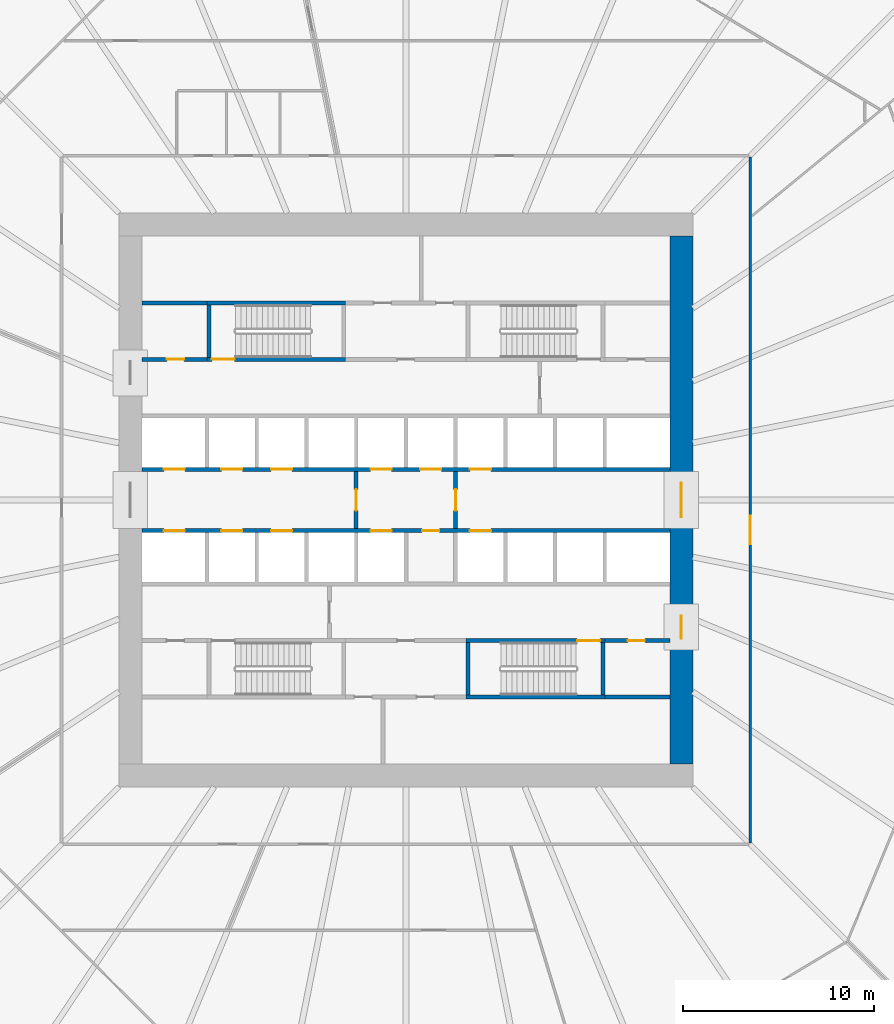
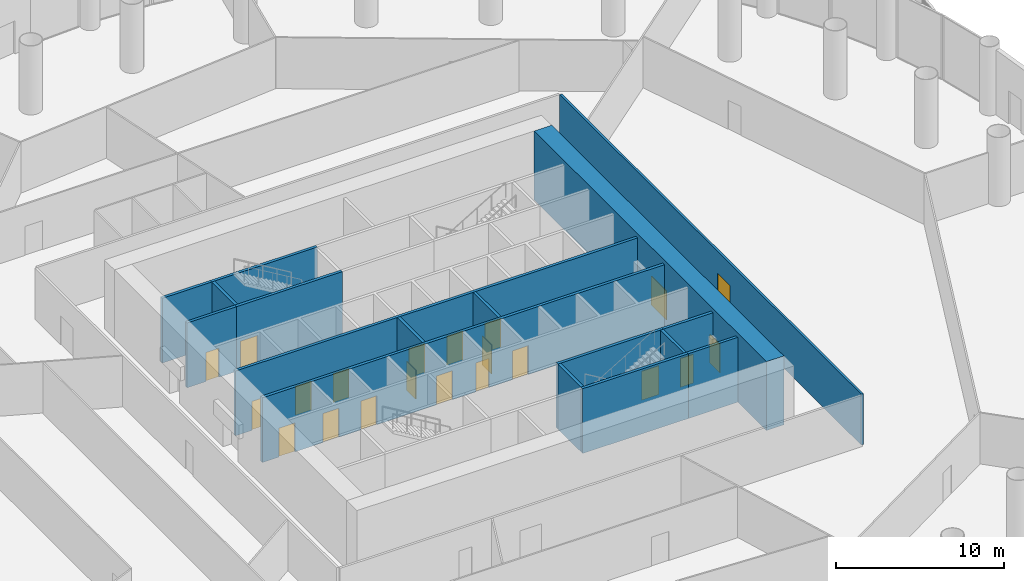
# One storey, part 24 of 35: 21 doors, 17 walls, 21 openings.
"""IFC4 building model written with IfcOpenShell, lengths in metres."""

from ifc_helpers import new_model, si_unit, direction, frame, frame_2d, origin, place, context, subcontext, project, spatial, polyline, rectangle, outline, extrude, material, layer, layer_set, type_object, element, fill, save


model = new_model("IFC4")

# Units and contexts
model_context = context("Model", 3, precision=1e-05, world=origin(), true_north=direction((0.0, 1.0)))
body_context = subcontext(model_context, "Body", "Model", "MODEL_VIEW")
ifc_project = project(units=[si_unit("LENGTHUNIT", "METRE"), si_unit("AREAUNIT", "SQUARE_METRE"), si_unit("VOLUMEUNIT", "CUBIC_METRE"), si_unit("PLANEANGLEUNIT", "RADIAN"), si_unit("MASSUNIT", "GRAM", prefix="KILO")], contexts=[model_context])

# Site, building, storey
site_placement = place(None, origin())
site = spatial("IfcSite", under=ifc_project, at=site_placement, CompositionType="ELEMENT")
building_placement = place(site_placement, origin())
building = spatial("IfcBuilding", under=site, at=building_placement, Name="Corvane Civic Tower", CompositionType="ELEMENT")
storey_placement = place(building_placement, frame((0.0, 0.0, 27.0)))
storey = spatial("IfcBuildingStorey", under=building, at=storey_placement, Name="L05", CompositionType="ELEMENT", Elevation=27.0)

# Wall, openings, doors
ifc_material_1 = material(Name="Concrete C80/95", Category="concrete")
ifc_layer_1 = layer(ifc_material_1, 1.199951171875)
ifc_layer_set_1 = layer_set([ifc_layer_1], Name="Concrete C80/95")
wall_type_1 = type_object("IfcWallType", Name="CORE WALL 1200 C80/95", PredefinedType="SHEAR", material=ifc_layer_set_1)
wall_1_placement = place(storey_placement, frame((14.39990234375, -13.800048828125, 0.0), z_axis=(0.0, 0.0, 1.0), x_axis=(0.0, 1.0, 0.0)))
wall_1 = element("IfcWall", 1, at=wall_1_placement, inside=storey, type_object=wall_type_1, Name="W-L05-core-E", PredefinedType="SHEAR", context=body_context, shape_type="SweptSolid", body=[
    extrude(rectangle(XDim=27.60009765625, YDim=1.199951171875, at=frame_2d((13.800048828125, 0.0))), origin(), (0.0, 0.0, 1.0), 5.0),
])
opening_1_placement = place(wall_1_placement, frame((12.89990234375, 0.0, 0.0)))
opening_1 = element("IfcOpeningElement", 2, at=opening_1_placement, cuts=wall_1, Name="Opening L05.C21", PredefinedType="OPENING", context=body_context, shape_type="SweptSolid", body=[
    extrude(rectangle(XDim=1.800048828125, YDim=2.10009765625, at=frame_2d((0.89990234375, 1.050048828125))), frame((0.0, 0.60986328125, 0.0), z_axis=(0.0, -1.0, 0.0), x_axis=(1.0, 0.0, 0.0)), (0.0, 0.0, 1.0), 1.219970703125),
])
opening_2_placement = place(wall_1_placement, frame((6.550048828125, 0.0, 0.0)))
opening_2 = element("IfcOpeningElement", 3, at=opening_2_placement, cuts=wall_1, Name="Opening L05.C23", PredefinedType="OPENING", context=body_context, shape_type="SweptSolid", body=[
    extrude(rectangle(XDim=1.199951171875, YDim=2.10009765625, at=frame_2d((0.60009765625, 1.050048828125))), frame((0.0, 0.60986328125, 0.0), z_axis=(0.0, -1.0, 0.0), x_axis=(1.0, 0.0, 0.0)), (0.0, 0.0, 1.0), 1.219970703125),
])
ifc_material_2 = material(Name="Steel fire door leaf", Category="steel")
door_type_1 = type_object("IfcDoorType", Name="CR-DOOR-CORE-1800", OperationType="DOUBLE_DOOR_SINGLE_SWING", PredefinedType="DOOR", material=ifc_material_2)
door_1_placement = place(opening_1_placement, origin())
door_1 = element("IfcDoor", 4, at=door_1_placement, inside=storey, type_object=door_type_1, Name="L05 door", OperationType="DOUBLE_DOOR_SINGLE_SWING", OverallHeight=2.10009765625, OverallWidth=1.800048828125, PredefinedType="DOOR", context=body_context, shape_type="SweptSolid", body=[
    extrude(rectangle(XDim=1.800048828125, YDim=2.10009765625, at=frame_2d((0.89990234375, 1.050048828125))), frame((0.0, 0.02490234375, 0.0), z_axis=(0.0, -1.0, 0.0), x_axis=(1.0, 0.0, 0.0)), (0.0, 0.0, 1.0), 0.050048828125),
])
fill(opening_1, door_1)
door_2_placement = place(opening_2_placement, origin())
door_2 = element("IfcDoor", 5, at=door_2_placement, inside=storey, type_object=door_type_1, Name="L05 door", OperationType="DOUBLE_DOOR_SINGLE_SWING", OverallHeight=2.10009765625, OverallWidth=1.199951171875, PredefinedType="DOOR", context=body_context, shape_type="SweptSolid", body=[
    extrude(rectangle(XDim=1.199951171875, YDim=2.10009765625, at=frame_2d((0.60009765625, 1.050048828125))), frame((0.0, 0.02490234375, 0.0), z_axis=(0.0, -1.0, 0.0), x_axis=(1.0, 0.0, 0.0)), (0.0, 0.0, 1.0), 0.050048828125),
])
fill(opening_2, door_2)

# Wall, opening, door
ifc_material_3 = material(Name="Concrete C30/37", Category="concrete")
ifc_layer_2 = layer(ifc_material_3, 0.199951171875)
ifc_layer_set_2 = layer_set([ifc_layer_2], Name="Concrete C30/37")
wall_type_2 = type_object("IfcWallType", Name="CR-WALL-200", PredefinedType="PARTITIONING", material=ifc_layer_set_2)
wall_2_placement = place(storey_placement, frame((10.39990234375, -7.35009765625, 0.0), z_axis=(0.0, 0.0, 1.0), x_axis=(1.0, 0.0, 0.0)))
wall_2 = element("IfcWall", 6, at=wall_2_placement, inside=storey, type_object=wall_type_2, Name="L05 core partition wall", PredefinedType="PARTITIONING", context=body_context, shape_type="SweptSolid", body=[
    extrude(rectangle(XDim=3.400146484375, YDim=0.199951171875, at=frame_2d((1.7001953125, 0.0))), origin(), (0.0, 0.0, 1.0), 4.699951171875),
])
opening_3_placement = place(wall_2_placement, frame((1.199951171875, 0.0, 0.0)))
opening_3 = element("IfcOpeningElement", 7, at=opening_3_placement, cuts=wall_2, Name="Opening L05.C11", PredefinedType="OPENING", context=body_context, shape_type="SweptSolid", body=[
    extrude(rectangle(XDim=0.89990234375, YDim=2.10009765625, at=frame_2d((0.449951171875, 1.050048828125))), frame((0.0, 0.10986328125, 0.0), z_axis=(0.0, -1.0, 0.0), x_axis=(1.0, 0.0, 0.0)), (0.0, 0.0, 1.0), 0.219970703125),
])
ifc_material_4 = material(Name="Steel fire door leaf", Category="steel")
door_type_2 = type_object("IfcDoorType", Name="CR-DOOR-900", OperationType="SINGLE_SWING_LEFT", PredefinedType="DOOR", material=ifc_material_4)
door_3_placement = place(opening_3_placement, origin())
door_3 = element("IfcDoor", 8, at=door_3_placement, inside=storey, type_object=door_type_2, Name="L05 door", OperationType="SINGLE_SWING_LEFT", OverallHeight=2.10009765625, OverallWidth=0.89990234375, PredefinedType="DOOR", context=body_context, shape_type="SweptSolid", body=[
    extrude(rectangle(XDim=0.89990234375, YDim=2.10009765625, at=frame_2d((0.449951171875, 1.050048828125))), frame((0.0, 0.02490234375, 0.0), z_axis=(0.0, -1.0, 0.0), x_axis=(1.0, 0.0, 0.0)), (0.0, 0.0, 1.0), 0.050048828125),
])
fill(opening_3, door_3)

# Wall, openings, doors
wall_3_placement = place(storey_placement, frame((-13.800048828125, -1.60009765625, 0.0), z_axis=(0.0, 0.0, 1.0), x_axis=(1.0, 0.0, 0.0)))
wall_3 = element("IfcWall", 9, at=wall_3_placement, inside=storey, type_object=wall_type_2, Name="L05 lift shaft wall", PredefinedType="PARTITIONING", context=body_context, shape_type="SweptSolid", body=[
    extrude(rectangle(XDim=27.60009765625, YDim=0.199951171875, at=frame_2d((13.800048828125, 0.0))), origin(), (0.0, 0.0, 1.0), 4.699951171875),
])
opening_4_placement = place(wall_3_placement, frame((1.14990234375, 0.0, 0.0)))
opening_4 = element("IfcOpeningElement", 10, at=opening_4_placement, cuts=wall_3, Name="Opening LD", PredefinedType="OPENING", context=body_context, shape_type="SweptSolid", body=[
    extrude(rectangle(XDim=1.10009765625, YDim=2.10009765625, at=frame_2d((0.550048828125, 1.050048828125))), frame((0.0, 0.10986328125, 0.0), z_axis=(0.0, -1.0, 0.0), x_axis=(1.0, 0.0, 0.0)), (0.0, 0.0, 1.0), 0.219970703125),
])
opening_5_placement = place(wall_3_placement, frame((4.14990234375, 0.0, 0.0)))
opening_5 = element("IfcOpeningElement", 11, at=opening_5_placement, cuts=wall_3, Name="Opening LD", PredefinedType="OPENING", context=body_context, shape_type="SweptSolid", body=[
    extrude(rectangle(XDim=1.10009765625, YDim=2.10009765625, at=frame_2d((0.550048828125, 1.050048828125))), frame((0.0, 0.10986328125, 0.0), z_axis=(0.0, -1.0, 0.0), x_axis=(1.0, 0.0, 0.0)), (0.0, 0.0, 1.0), 0.219970703125),
])
opening_6_placement = place(wall_3_placement, frame((6.75, 0.0, 0.0)))
opening_6 = element("IfcOpeningElement", 12, at=opening_6_placement, cuts=wall_3, Name="Opening LD", PredefinedType="OPENING", context=body_context, shape_type="SweptSolid", body=[
    extrude(rectangle(XDim=1.10009765625, YDim=2.10009765625, at=frame_2d((0.550048828125, 1.050048828125))), frame((0.0, 0.10986328125, 0.0), z_axis=(0.0, -1.0, 0.0), x_axis=(1.0, 0.0, 0.0)), (0.0, 0.0, 1.0), 0.219970703125),
])
opening_7_placement = place(wall_3_placement, frame((11.949951171875, 0.0, 0.0)))
opening_7 = element("IfcOpeningElement", 13, at=opening_7_placement, cuts=wall_3, Name="Opening LD", PredefinedType="OPENING", context=body_context, shape_type="SweptSolid", body=[
    extrude(rectangle(XDim=1.10009765625, YDim=2.10009765625, at=frame_2d((0.550048828125, 1.050048828125))), frame((0.0, 0.10986328125, 0.0), z_axis=(0.0, -1.0, 0.0), x_axis=(1.0, 0.0, 0.0)), (0.0, 0.0, 1.0), 0.219970703125),
])
opening_8_placement = place(wall_3_placement, frame((14.64990234375, 0.0, 0.0)))
opening_8 = element("IfcOpeningElement", 14, at=opening_8_placement, cuts=wall_3, Name="Opening L05.C01", PredefinedType="OPENING", context=body_context, shape_type="SweptSolid", body=[
    extrude(rectangle(XDim=0.89990234375, YDim=2.10009765625, at=frame_2d((0.449951171875, 1.050048828125))), frame((0.0, 0.10986328125, 0.0), z_axis=(0.0, -1.0, 0.0), x_axis=(1.0, 0.0, 0.0)), (0.0, 0.0, 1.0), 0.219970703125),
])
opening_9_placement = place(wall_3_placement, frame((17.14990234375, 0.0, 0.0)))
opening_9 = element("IfcOpeningElement", 15, at=opening_9_placement, cuts=wall_3, Name="Opening LD", PredefinedType="OPENING", context=body_context, shape_type="SweptSolid", body=[
    extrude(rectangle(XDim=1.10009765625, YDim=2.10009765625, at=frame_2d((0.550048828125, 1.050048828125))), frame((0.0, 0.10986328125, 0.0), z_axis=(0.0, -1.0, 0.0), x_axis=(1.0, 0.0, 0.0)), (0.0, 0.0, 1.0), 0.219970703125),
])
door_4_placement = place(opening_8_placement, origin())
door_4 = element("IfcDoor", 16, at=door_4_placement, inside=storey, type_object=door_type_2, Name="L05 door", OperationType="SINGLE_SWING_LEFT", OverallHeight=2.10009765625, OverallWidth=0.89990234375, PredefinedType="DOOR", context=body_context, shape_type="SweptSolid", body=[
    extrude(rectangle(XDim=0.89990234375, YDim=2.10009765625, at=frame_2d((0.449951171875, 1.050048828125))), frame((0.0, 0.02490234375, 0.0), z_axis=(0.0, -1.0, 0.0), x_axis=(1.0, 0.0, 0.0)), (0.0, 0.0, 1.0), 0.050048828125),
])
fill(opening_8, door_4)
ifc_material_5 = material(Name="Stainless steel 316 door leaves", Category="steel")
door_type_3 = type_object("IfcDoorType", Name="LD", OperationType="DOUBLE_DOOR_SLIDING", PredefinedType="DOOR", material=ifc_material_5)
door_5_placement = place(opening_4_placement, origin())
door_5 = element("IfcDoor", 17, at=door_5_placement, inside=storey, type_object=door_type_3, Name="L05 landing door", OperationType="DOUBLE_DOOR_SLIDING", OverallHeight=2.10009765625, OverallWidth=1.10009765625, PredefinedType="DOOR", context=body_context, shape_type="SweptSolid", body=[
    extrude(rectangle(XDim=1.10009765625, YDim=2.10009765625, at=frame_2d((0.550048828125, 1.050048828125))), frame((0.0, 0.02490234375, 0.0), z_axis=(0.0, -1.0, 0.0), x_axis=(1.0, 0.0, 0.0)), (0.0, 0.0, 1.0), 0.050048828125),
])
fill(opening_4, door_5)
door_6_placement = place(opening_5_placement, origin())
door_6 = element("IfcDoor", 18, at=door_6_placement, inside=storey, type_object=door_type_3, Name="L05 landing door", OperationType="DOUBLE_DOOR_SLIDING", OverallHeight=2.10009765625, OverallWidth=1.10009765625, PredefinedType="DOOR", context=body_context, shape_type="SweptSolid", body=[
    extrude(rectangle(XDim=1.10009765625, YDim=2.10009765625, at=frame_2d((0.550048828125, 1.050048828125))), frame((0.0, 0.02490234375, 0.0), z_axis=(0.0, -1.0, 0.0), x_axis=(1.0, 0.0, 0.0)), (0.0, 0.0, 1.0), 0.050048828125),
])
fill(opening_5, door_6)
door_7_placement = place(opening_6_placement, origin())
door_7 = element("IfcDoor", 19, at=door_7_placement, inside=storey, type_object=door_type_3, Name="L05 landing door", OperationType="DOUBLE_DOOR_SLIDING", OverallHeight=2.10009765625, OverallWidth=1.10009765625, PredefinedType="DOOR", context=body_context, shape_type="SweptSolid", body=[
    extrude(rectangle(XDim=1.10009765625, YDim=2.10009765625, at=frame_2d((0.550048828125, 1.050048828125))), frame((0.0, 0.02490234375, 0.0), z_axis=(0.0, -1.0, 0.0), x_axis=(1.0, 0.0, 0.0)), (0.0, 0.0, 1.0), 0.050048828125),
])
fill(opening_6, door_7)
door_8_placement = place(opening_7_placement, origin())
door_8 = element("IfcDoor", 20, at=door_8_placement, inside=storey, type_object=door_type_3, Name="L05 landing door", OperationType="DOUBLE_DOOR_SLIDING", OverallHeight=2.10009765625, OverallWidth=1.10009765625, PredefinedType="DOOR", context=body_context, shape_type="SweptSolid", body=[
    extrude(rectangle(XDim=1.10009765625, YDim=2.10009765625, at=frame_2d((0.550048828125, 1.050048828125))), frame((0.0, 0.02490234375, 0.0), z_axis=(0.0, -1.0, 0.0), x_axis=(1.0, 0.0, 0.0)), (0.0, 0.0, 1.0), 0.050048828125),
])
fill(opening_7, door_8)
door_9_placement = place(opening_9_placement, origin())
door_9 = element("IfcDoor", 21, at=door_9_placement, inside=storey, type_object=door_type_3, Name="L05 landing door", OperationType="DOUBLE_DOOR_SLIDING", OverallHeight=2.10009765625, OverallWidth=1.10009765625, PredefinedType="DOOR", context=body_context, shape_type="SweptSolid", body=[
    extrude(rectangle(XDim=1.10009765625, YDim=2.10009765625, at=frame_2d((0.550048828125, 1.050048828125))), frame((0.0, 0.02490234375, 0.0), z_axis=(0.0, -1.0, 0.0), x_axis=(1.0, 0.0, 0.0)), (0.0, 0.0, 1.0), 0.050048828125),
])
fill(opening_9, door_9)

wall_4_placement = place(storey_placement, frame((-13.800048828125, 1.60009765625, 0.0), z_axis=(0.0, 0.0, 1.0), x_axis=(1.0, 0.0, 0.0)))
wall_4 = element("IfcWall", 22, at=wall_4_placement, inside=storey, type_object=wall_type_2, Name="L05 lift shaft wall", PredefinedType="PARTITIONING", context=body_context, shape_type="SweptSolid", body=[
    extrude(rectangle(XDim=27.60009765625, YDim=0.199951171875, at=frame_2d((13.800048828125, 0.0))), origin(), (0.0, 0.0, 1.0), 4.699951171875),
])
opening_10_placement = place(wall_4_placement, frame((1.14990234375, 0.0, 0.0)))
opening_10 = element("IfcOpeningElement", 23, at=opening_10_placement, cuts=wall_4, Name="Opening LD", PredefinedType="OPENING", context=body_context, shape_type="SweptSolid", body=[
    extrude(rectangle(XDim=1.10009765625, YDim=2.10009765625, at=frame_2d((0.550048828125, 1.050048828125))), frame((0.0, 0.10986328125, 0.0), z_axis=(0.0, -1.0, 0.0), x_axis=(1.0, 0.0, 0.0)), (0.0, 0.0, 1.0), 0.219970703125),
])
opening_11_placement = place(wall_4_placement, frame((4.14990234375, 0.0, 0.0)))
opening_11 = element("IfcOpeningElement", 24, at=opening_11_placement, cuts=wall_4, Name="Opening LD", PredefinedType="OPENING", context=body_context, shape_type="SweptSolid", body=[
    extrude(rectangle(XDim=1.10009765625, YDim=2.10009765625, at=frame_2d((0.550048828125, 1.050048828125))), frame((0.0, 0.10986328125, 0.0), z_axis=(0.0, -1.0, 0.0), x_axis=(1.0, 0.0, 0.0)), (0.0, 0.0, 1.0), 0.219970703125),
])
opening_12_placement = place(wall_4_placement, frame((6.75, 0.0, 0.0)))
opening_12 = element("IfcOpeningElement", 25, at=opening_12_placement, cuts=wall_4, Name="Opening LD", PredefinedType="OPENING", context=body_context, shape_type="SweptSolid", body=[
    extrude(rectangle(XDim=1.10009765625, YDim=2.10009765625, at=frame_2d((0.550048828125, 1.050048828125))), frame((0.0, 0.10986328125, 0.0), z_axis=(0.0, -1.0, 0.0), x_axis=(1.0, 0.0, 0.0)), (0.0, 0.0, 1.0), 0.219970703125),
])
opening_13_placement = place(wall_4_placement, frame((11.949951171875, 0.0, 0.0)))
opening_13 = element("IfcOpeningElement", 26, at=opening_13_placement, cuts=wall_4, Name="Opening LD", PredefinedType="OPENING", context=body_context, shape_type="SweptSolid", body=[
    extrude(rectangle(XDim=1.10009765625, YDim=2.10009765625, at=frame_2d((0.550048828125, 1.050048828125))), frame((0.0, 0.10986328125, 0.0), z_axis=(0.0, -1.0, 0.0), x_axis=(1.0, 0.0, 0.0)), (0.0, 0.0, 1.0), 0.219970703125),
])
opening_14_placement = place(wall_4_placement, frame((14.550048828125, 0.0, 0.0)))
opening_14 = element("IfcOpeningElement", 27, at=opening_14_placement, cuts=wall_4, Name="Opening LD", PredefinedType="OPENING", context=body_context, shape_type="SweptSolid", body=[
    extrude(rectangle(XDim=1.10009765625, YDim=2.10009765625, at=frame_2d((0.550048828125, 1.050048828125))), frame((0.0, 0.10986328125, 0.0), z_axis=(0.0, -1.0, 0.0), x_axis=(1.0, 0.0, 0.0)), (0.0, 0.0, 1.0), 0.219970703125),
])
opening_15_placement = place(wall_4_placement, frame((17.14990234375, 0.0, 0.0)))
opening_15 = element("IfcOpeningElement", 28, at=opening_15_placement, cuts=wall_4, Name="Opening LD", PredefinedType="OPENING", context=body_context, shape_type="SweptSolid", body=[
    extrude(rectangle(XDim=1.10009765625, YDim=2.10009765625, at=frame_2d((0.550048828125, 1.050048828125))), frame((0.0, 0.10986328125, 0.0), z_axis=(0.0, -1.0, 0.0), x_axis=(1.0, 0.0, 0.0)), (0.0, 0.0, 1.0), 0.219970703125),
])
door_10_placement = place(opening_10_placement, origin())
door_10 = element("IfcDoor", 29, at=door_10_placement, inside=storey, type_object=door_type_3, Name="L05 landing door", OperationType="DOUBLE_DOOR_SLIDING", OverallHeight=2.10009765625, OverallWidth=1.10009765625, PredefinedType="DOOR", context=body_context, shape_type="SweptSolid", body=[
    extrude(rectangle(XDim=1.10009765625, YDim=2.10009765625, at=frame_2d((0.550048828125, 1.050048828125))), frame((0.0, 0.02490234375, 0.0), z_axis=(0.0, -1.0, 0.0), x_axis=(1.0, 0.0, 0.0)), (0.0, 0.0, 1.0), 0.050048828125),
])
fill(opening_10, door_10)
door_11_placement = place(opening_11_placement, origin())
door_11 = element("IfcDoor", 30, at=door_11_placement, inside=storey, type_object=door_type_3, Name="L05 landing door", OperationType="DOUBLE_DOOR_SLIDING", OverallHeight=2.10009765625, OverallWidth=1.10009765625, PredefinedType="DOOR", context=body_context, shape_type="SweptSolid", body=[
    extrude(rectangle(XDim=1.10009765625, YDim=2.10009765625, at=frame_2d((0.550048828125, 1.050048828125))), frame((0.0, 0.02490234375, 0.0), z_axis=(0.0, -1.0, 0.0), x_axis=(1.0, 0.0, 0.0)), (0.0, 0.0, 1.0), 0.050048828125),
])
fill(opening_11, door_11)
door_12_placement = place(opening_12_placement, origin())
door_12 = element("IfcDoor", 31, at=door_12_placement, inside=storey, type_object=door_type_3, Name="L05 landing door", OperationType="DOUBLE_DOOR_SLIDING", OverallHeight=2.10009765625, OverallWidth=1.10009765625, PredefinedType="DOOR", context=body_context, shape_type="SweptSolid", body=[
    extrude(rectangle(XDim=1.10009765625, YDim=2.10009765625, at=frame_2d((0.550048828125, 1.050048828125))), frame((0.0, 0.02490234375, 0.0), z_axis=(0.0, -1.0, 0.0), x_axis=(1.0, 0.0, 0.0)), (0.0, 0.0, 1.0), 0.050048828125),
])
fill(opening_12, door_12)
door_13_placement = place(opening_13_placement, origin())
door_13 = element("IfcDoor", 32, at=door_13_placement, inside=storey, type_object=door_type_3, Name="L05 landing door", OperationType="DOUBLE_DOOR_SLIDING", OverallHeight=2.10009765625, OverallWidth=1.10009765625, PredefinedType="DOOR", context=body_context, shape_type="SweptSolid", body=[
    extrude(rectangle(XDim=1.10009765625, YDim=2.10009765625, at=frame_2d((0.550048828125, 1.050048828125))), frame((0.0, 0.02490234375, 0.0), z_axis=(0.0, -1.0, 0.0), x_axis=(1.0, 0.0, 0.0)), (0.0, 0.0, 1.0), 0.050048828125),
])
fill(opening_13, door_13)
door_14_placement = place(opening_14_placement, origin())
door_14 = element("IfcDoor", 33, at=door_14_placement, inside=storey, type_object=door_type_3, Name="L05 landing door", OperationType="DOUBLE_DOOR_SLIDING", OverallHeight=2.10009765625, OverallWidth=1.10009765625, PredefinedType="DOOR", context=body_context, shape_type="SweptSolid", body=[
    extrude(rectangle(XDim=1.10009765625, YDim=2.10009765625, at=frame_2d((0.550048828125, 1.050048828125))), frame((0.0, 0.02490234375, 0.0), z_axis=(0.0, -1.0, 0.0), x_axis=(1.0, 0.0, 0.0)), (0.0, 0.0, 1.0), 0.050048828125),
])
fill(opening_14, door_14)
door_15_placement = place(opening_15_placement, origin())
door_15 = element("IfcDoor", 34, at=door_15_placement, inside=storey, type_object=door_type_3, Name="L05 landing door", OperationType="DOUBLE_DOOR_SLIDING", OverallHeight=2.10009765625, OverallWidth=1.10009765625, PredefinedType="DOOR", context=body_context, shape_type="SweptSolid", body=[
    extrude(rectangle(XDim=1.10009765625, YDim=2.10009765625, at=frame_2d((0.550048828125, 1.050048828125))), frame((0.0, 0.02490234375, 0.0), z_axis=(0.0, -1.0, 0.0), x_axis=(1.0, 0.0, 0.0)), (0.0, 0.0, 1.0), 0.050048828125),
])
fill(opening_15, door_15)

# Wall, opening, door
wall_5_placement = place(storey_placement, frame((-13.800048828125, 7.35009765625, 0.0), z_axis=(0.0, 0.0, 1.0), x_axis=(1.0, 0.0, 0.0)))
wall_5 = element("IfcWall", 35, at=wall_5_placement, inside=storey, type_object=wall_type_2, Name="L05 core partition wall", PredefinedType="PARTITIONING", context=body_context, shape_type="SweptSolid", body=[
    extrude(rectangle(XDim=3.400146484375, YDim=0.199951171875, at=frame_2d((1.7001953125, 0.0))), origin(), (0.0, 0.0, 1.0), 4.699951171875),
])
opening_16_placement = place(wall_5_placement, frame((1.300048828125, 0.0, 0.0)))
opening_16 = element("IfcOpeningElement", 36, at=opening_16_placement, cuts=wall_5, Name="Opening L05.C08", PredefinedType="OPENING", context=body_context, shape_type="SweptSolid", body=[
    extrude(rectangle(XDim=0.89990234375, YDim=2.10009765625, at=frame_2d((0.449951171875, 1.050048828125))), frame((0.0, 0.10986328125, 0.0), z_axis=(0.0, -1.0, 0.0), x_axis=(1.0, 0.0, 0.0)), (0.0, 0.0, 1.0), 0.219970703125),
])
door_16_placement = place(opening_16_placement, origin())
door_16 = element("IfcDoor", 37, at=door_16_placement, inside=storey, type_object=door_type_2, Name="L05 door", OperationType="SINGLE_SWING_LEFT", OverallHeight=2.10009765625, OverallWidth=0.89990234375, PredefinedType="DOOR", context=body_context, shape_type="SweptSolid", body=[
    extrude(rectangle(XDim=0.89990234375, YDim=2.10009765625, at=frame_2d((0.449951171875, 1.050048828125))), frame((0.0, 0.02490234375, 0.0), z_axis=(0.0, -1.0, 0.0), x_axis=(1.0, 0.0, 0.0)), (0.0, 0.0, 1.0), 0.050048828125),
])
fill(opening_16, door_16)

wall_6_placement = place(storey_placement, frame((-2.60009765625, -1.5, 0.0), z_axis=(0.0, 0.0, 1.0), x_axis=(0.0, 1.0, 0.0)))
wall_6 = element("IfcWall", 38, at=wall_6_placement, inside=storey, type_object=wall_type_2, Name="L05 firefighting lobby wall", PredefinedType="PARTITIONING", context=body_context, shape_type="SweptSolid", body=[
    extrude(rectangle(XDim=3.0, YDim=0.199951171875, at=frame_2d((1.5, 0.0))), origin(), (0.0, 0.0, 1.0), 4.699951171875),
])
opening_17_placement = place(wall_6_placement, frame((0.949951171875, 0.0, 0.0)))
opening_17 = element("IfcOpeningElement", 39, at=opening_17_placement, cuts=wall_6, Name="Opening L05.C16", PredefinedType="OPENING", context=body_context, shape_type="SweptSolid", body=[
    extrude(rectangle(XDim=1.10009765625, YDim=2.10009765625, at=frame_2d((0.550048828125, 1.050048828125))), frame((0.0, 0.10986328125, 0.0), z_axis=(0.0, -1.0, 0.0), x_axis=(1.0, 0.0, 0.0)), (0.0, 0.0, 1.0), 0.219970703125),
])
ifc_material_6 = material(Name="Steel fire door leaf", Category="steel")
door_type_4 = type_object("IfcDoorType", Name="CR-DOOR-FFL-1100", OperationType="SINGLE_SWING_LEFT", PredefinedType="DOOR", material=ifc_material_6)
door_17_placement = place(opening_17_placement, origin())
door_17 = element("IfcDoor", 40, at=door_17_placement, inside=storey, type_object=door_type_4, Name="L05 lobby door", OperationType="SINGLE_SWING_LEFT", OverallHeight=2.10009765625, OverallWidth=1.10009765625, PredefinedType="DOOR", context=body_context, shape_type="SweptSolid", body=[
    extrude(rectangle(XDim=1.10009765625, YDim=2.10009765625, at=frame_2d((0.550048828125, 1.050048828125))), frame((0.0, 0.02490234375, 0.0), z_axis=(0.0, -1.0, 0.0), x_axis=(1.0, 0.0, 0.0)), (0.0, 0.0, 1.0), 0.050048828125),
])
fill(opening_17, door_17)

wall_7_placement = place(storey_placement, frame((2.60009765625, -1.5, 0.0), z_axis=(0.0, 0.0, 1.0), x_axis=(0.0, 1.0, 0.0)))
wall_7 = element("IfcWall", 41, at=wall_7_placement, inside=storey, type_object=wall_type_2, Name="L05 firefighting lobby wall", PredefinedType="PARTITIONING", context=body_context, shape_type="SweptSolid", body=[
    extrude(rectangle(XDim=3.0, YDim=0.199951171875, at=frame_2d((1.5, 0.0))), origin(), (0.0, 0.0, 1.0), 4.699951171875),
])
opening_18_placement = place(wall_7_placement, frame((0.949951171875, 0.0, 0.0)))
opening_18 = element("IfcOpeningElement", 42, at=opening_18_placement, cuts=wall_7, Name="Opening L05.C17", PredefinedType="OPENING", context=body_context, shape_type="SweptSolid", body=[
    extrude(rectangle(XDim=1.10009765625, YDim=2.10009765625, at=frame_2d((0.550048828125, 1.050048828125))), frame((0.0, 0.10986328125, 0.0), z_axis=(0.0, -1.0, 0.0), x_axis=(1.0, 0.0, 0.0)), (0.0, 0.0, 1.0), 0.219970703125),
])
door_18_placement = place(opening_18_placement, origin())
door_18 = element("IfcDoor", 43, at=door_18_placement, inside=storey, type_object=door_type_4, Name="L05 lobby door", OperationType="SINGLE_SWING_LEFT", OverallHeight=2.10009765625, OverallWidth=1.10009765625, PredefinedType="DOOR", context=body_context, shape_type="SweptSolid", body=[
    extrude(rectangle(XDim=1.10009765625, YDim=2.10009765625, at=frame_2d((0.550048828125, 1.050048828125))), frame((0.0, 0.02490234375, 0.0), z_axis=(0.0, -1.0, 0.0), x_axis=(1.0, 0.0, 0.0)), (0.0, 0.0, 1.0), 0.050048828125),
])
fill(opening_18, door_18)

# Walls
wall_8_placement = place(storey_placement, origin())
element("IfcWall", 44, at=wall_8_placement, inside=storey, type_object=wall_type_2, Name="L05 core partition wall", PredefinedType="PARTITIONING", context=body_context, shape_type="SweptSolid", body=[
    extrude(outline(polyline([(-13.800048828125, 10.199951171875), (-13.800048828125, 10.39990234375), (-10.39990234375, 10.39990234375), (-10.39990234375, 10.199951171875), (-13.800048828125, 10.199951171875)])), origin(), (0.0, 0.0, 1.0), 4.699951171875),
])
wall_9_placement = place(storey_placement, origin())
element("IfcWall", 45, at=wall_9_placement, inside=storey, type_object=wall_type_2, Name="L05 core partition wall", PredefinedType="PARTITIONING", context=body_context, shape_type="SweptSolid", body=[
    extrude(outline(polyline([(13.800048828125, -10.39990234375), (10.39990234375, -10.39990234375), (10.39990234375, -10.199951171875), (13.800048828125, -10.199951171875), (13.800048828125, -10.39990234375)])), origin(), (0.0, 0.0, 1.0), 4.699951171875),
])

# Wall, opening, door
ifc_material_7 = material(Name="Concrete C50/60", Category="concrete")
ifc_layer_3 = layer(ifc_material_7, 0.199951171875)
ifc_layer_set_3 = layer_set([ifc_layer_3], Name="Concrete C50/60")
wall_type_3 = type_object("IfcWallType", Name="ST-WALL-200", PredefinedType="SHEAR", material=ifc_layer_set_3)
wall_10_placement = place(storey_placement, frame((3.14990234375, -7.35009765625, 0.0), z_axis=(0.0, 0.0, 1.0), x_axis=(1.0, 0.0, 0.0)))
wall_10 = element("IfcWall", 46, at=wall_10_placement, inside=storey, type_object=wall_type_3, Name="L05 stair enclosure wall", PredefinedType="SHEAR", context=body_context, shape_type="SweptSolid", body=[
    extrude(rectangle(XDim=7.25, YDim=0.199951171875, at=frame_2d((3.625, 0.0))), origin(), (0.0, 0.0, 1.0), 4.699951171875),
])
opening_19_placement = place(wall_10_placement, frame((5.800048828125, 0.0, 0.0)))
opening_19 = element("IfcOpeningElement", 47, at=opening_19_placement, cuts=wall_10, Name="Opening L05.C14", PredefinedType="OPENING", context=body_context, shape_type="SweptSolid", body=[
    extrude(rectangle(XDim=1.199951171875, YDim=2.10009765625, at=frame_2d((0.60009765625, 1.050048828125))), frame((0.0, 0.10986328125, 0.0), z_axis=(0.0, -1.0, 0.0), x_axis=(1.0, 0.0, 0.0)), (0.0, 0.0, 1.0), 0.219970703125),
])
ifc_material_8 = material(Name="Steel fire door leaf", Category="steel")
door_type_5 = type_object("IfcDoorType", Name="ST-DOOR-1200", OperationType="SINGLE_SWING_RIGHT", PredefinedType="DOOR", material=ifc_material_8)
door_19_placement = place(opening_19_placement, origin())
door_19 = element("IfcDoor", 48, at=door_19_placement, inside=storey, type_object=door_type_5, Name="L05 stair door", OperationType="SINGLE_SWING_RIGHT", OverallHeight=2.10009765625, OverallWidth=1.199951171875, PredefinedType="DOOR", context=body_context, shape_type="SweptSolid", body=[
    extrude(rectangle(XDim=1.199951171875, YDim=2.10009765625, at=frame_2d((0.60009765625, 1.050048828125))), frame((0.0, 0.02490234375, 0.0), z_axis=(0.0, -1.0, 0.0), x_axis=(1.0, 0.0, 0.0)), (0.0, 0.0, 1.0), 0.050048828125),
])
fill(opening_19, door_19)

wall_11_placement = place(storey_placement, frame((-10.39990234375, 7.35009765625, 0.0), z_axis=(0.0, 0.0, 1.0), x_axis=(1.0, 0.0, 0.0)))
wall_11 = element("IfcWall", 49, at=wall_11_placement, inside=storey, type_object=wall_type_3, Name="L05 stair enclosure wall", PredefinedType="SHEAR", context=body_context, shape_type="SweptSolid", body=[
    extrude(rectangle(XDim=7.25, YDim=0.199951171875, at=frame_2d((3.625, 0.0))), origin(), (0.0, 0.0, 1.0), 4.699951171875),
])
opening_20_placement = place(wall_11_placement, frame((0.25, 0.0, 0.0)))
opening_20 = element("IfcOpeningElement", 50, at=opening_20_placement, cuts=wall_11, Name="Opening L05.C13", PredefinedType="OPENING", context=body_context, shape_type="SweptSolid", body=[
    extrude(rectangle(XDim=1.199951171875, YDim=2.10009765625, at=frame_2d((0.60009765625, 1.050048828125))), frame((0.0, 0.10986328125, 0.0), z_axis=(0.0, -1.0, 0.0), x_axis=(1.0, 0.0, 0.0)), (0.0, 0.0, 1.0), 0.219970703125),
])
door_20_placement = place(opening_20_placement, origin())
door_20 = element("IfcDoor", 51, at=door_20_placement, inside=storey, type_object=door_type_5, Name="L05 stair door", OperationType="SINGLE_SWING_RIGHT", OverallHeight=2.10009765625, OverallWidth=1.199951171875, PredefinedType="DOOR", context=body_context, shape_type="SweptSolid", body=[
    extrude(rectangle(XDim=1.199951171875, YDim=2.10009765625, at=frame_2d((0.60009765625, 1.050048828125))), frame((0.0, 0.02490234375, 0.0), z_axis=(0.0, -1.0, 0.0), x_axis=(1.0, 0.0, 0.0)), (0.0, 0.0, 1.0), 0.050048828125),
])
fill(opening_20, door_20)

# Walls
wall_12_placement = place(storey_placement, origin())
element("IfcWall", 52, at=wall_12_placement, inside=storey, type_object=wall_type_3, Name="L05 stair enclosure wall", PredefinedType="SHEAR", context=body_context, shape_type="SweptSolid", body=[
    extrude(outline(polyline([(-3.14990234375, 10.199951171875), (-10.39990234375, 10.199951171875), (-10.39990234375, 10.39990234375), (-3.14990234375, 10.39990234375), (-3.14990234375, 10.199951171875)])), origin(), (0.0, 0.0, 1.0), 4.699951171875),
])
wall_13_placement = place(storey_placement, origin())
element("IfcWall", 53, at=wall_13_placement, inside=storey, type_object=wall_type_3, Name="L05 stair enclosure wall", PredefinedType="SHEAR", context=body_context, shape_type="SweptSolid", body=[
    extrude(outline(polyline([(10.39990234375, -10.39990234375), (3.14990234375, -10.39990234375), (3.14990234375, -10.199951171875), (10.39990234375, -10.199951171875), (10.39990234375, -10.39990234375)])), origin(), (0.0, 0.0, 1.0), 4.699951171875),
])
wall_14_placement = place(storey_placement, origin())
element("IfcWall", 54, at=wall_14_placement, inside=storey, type_object=wall_type_3, Name="L05 stair enclosure wall", PredefinedType="SHEAR", context=body_context, shape_type="SweptSolid", body=[
    extrude(outline(polyline([(3.35009765625, -7.449951171875), (3.35009765625, -10.199951171875), (3.14990234375, -10.199951171875), (3.14990234375, -7.449951171875), (3.35009765625, -7.449951171875)])), origin(), (0.0, 0.0, 1.0), 4.699951171875),
])
wall_15_placement = place(storey_placement, origin())
element("IfcWall", 55, at=wall_15_placement, inside=storey, type_object=wall_type_3, Name="L05 stair enclosure wall", PredefinedType="SHEAR", context=body_context, shape_type="SweptSolid", body=[
    extrude(outline(polyline([(-10.199951171875, 7.449951171875), (-10.39990234375, 7.449951171875), (-10.39990234375, 10.199951171875), (-10.199951171875, 10.199951171875), (-10.199951171875, 7.449951171875)])), origin(), (0.0, 0.0, 1.0), 4.699951171875),
])
wall_16_placement = place(storey_placement, origin())
element("IfcWall", 56, at=wall_16_placement, inside=storey, type_object=wall_type_3, Name="L05 stair enclosure wall", PredefinedType="SHEAR", context=body_context, shape_type="SweptSolid", body=[
    extrude(outline(polyline([(10.39990234375, -7.449951171875), (10.39990234375, -10.199951171875), (10.199951171875, -10.199951171875), (10.199951171875, -7.449951171875), (10.39990234375, -7.449951171875)])), origin(), (0.0, 0.0, 1.0), 4.699951171875),
])

# Wall, opening, door
ifc_material_9 = material(Name="Plasterboard")
ifc_layer_4 = layer(ifc_material_9, 0.14990234375)
ifc_layer_set_4 = layer_set([ifc_layer_4], Name="Plasterboard")
wall_type_4 = type_object("IfcWallType", Name="Tenancy wall 150 EI 60", PredefinedType="PARTITIONING", material=ifc_layer_set_4)
wall_17_placement = place(storey_placement, frame((18.0, -17.925048828125, 0.0), z_axis=(0.0, 0.0, 1.0), x_axis=(0.0, 1.0, 0.0)))
wall_17 = element("IfcWall", 57, at=wall_17_placement, inside=storey, type_object=wall_type_4, Name="Partition L05.015", PredefinedType="PARTITIONING", context=body_context, shape_type="SweptSolid", body=[
    extrude(rectangle(XDim=35.85009765625, YDim=0.14990234375, at=frame_2d((17.925048828125, 0.0))), origin(), (0.0, 0.0, 1.0), 3.699951171875),
])
opening_21_placement = place(wall_17_placement, frame((15.5986328125, 0.0, 0.0)))
opening_21 = element("IfcOpeningElement", 58, at=opening_21_placement, cuts=wall_17, Name="Opening L05.015", PredefinedType="OPENING", context=body_context, shape_type="SweptSolid", body=[
    extrude(rectangle(XDim=1.5, YDim=2.10009765625, at=frame_2d((0.75, 1.050048828125))), frame((0.0, 0.0849609375, 0.0), z_axis=(0.0, -1.0, 0.0), x_axis=(1.0, 0.0, 0.0)), (0.0, 0.0, 1.0), 0.169921875),
])
ifc_material_10 = material(Name="Steel and timber", Category="steel")
door_type_6 = type_object("IfcDoorType", Name="Fire door FD60 double 1500", OperationType="NOTDEFINED", PredefinedType="DOOR", material=ifc_material_10)
door_21_placement = place(opening_21_placement, frame((1.5, 0.0, 0.0), z_axis=(0.0, 0.0, 1.0), x_axis=(-1.0, 0.0, 0.0)))
door_21 = element("IfcDoor", 59, at=door_21_placement, inside=storey, type_object=door_type_6, Name="Door L05.015", OperationType="DOUBLE_DOOR_SINGLE_SWING", OverallHeight=2.10009765625, OverallWidth=1.5, PredefinedType="DOOR", context=body_context, shape_type="SweptSolid", body=[
    extrude(rectangle(XDim=1.5, YDim=2.10009765625, at=frame_2d((0.75, 1.050048828125))), frame((0.0, 0.02490234375, 0.0), z_axis=(0.0, -1.0, 0.0), x_axis=(1.0, 0.0, 0.0)), (0.0, 0.0, 1.0), 0.050048828125),
])
fill(opening_21, door_21)

save(model, "model.ifc")
